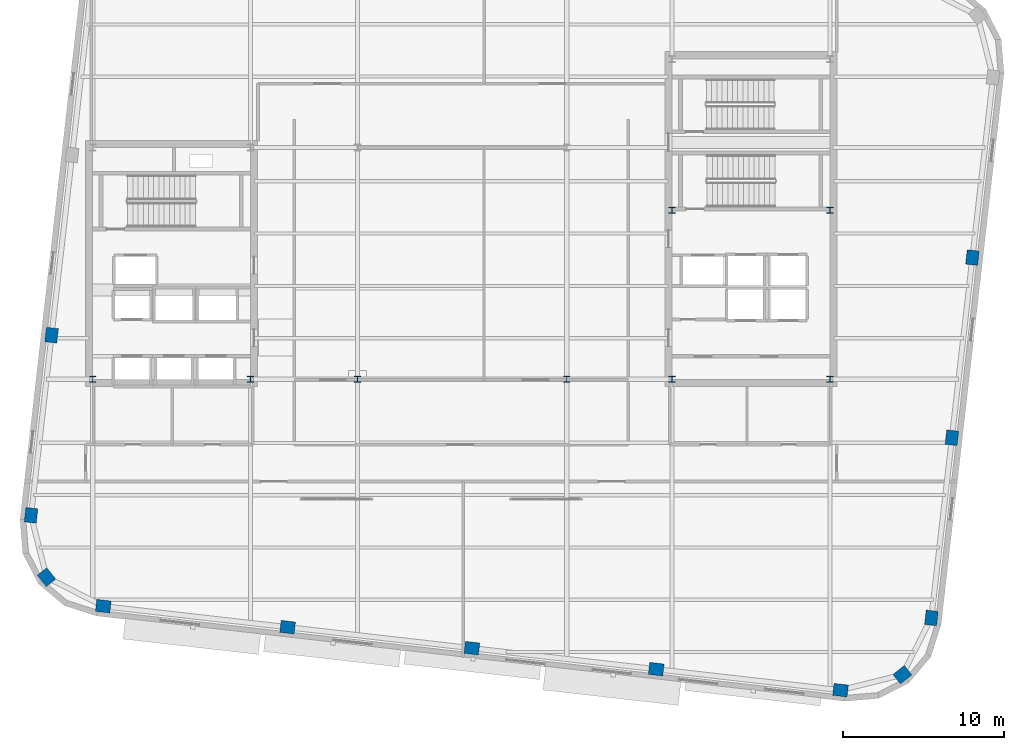
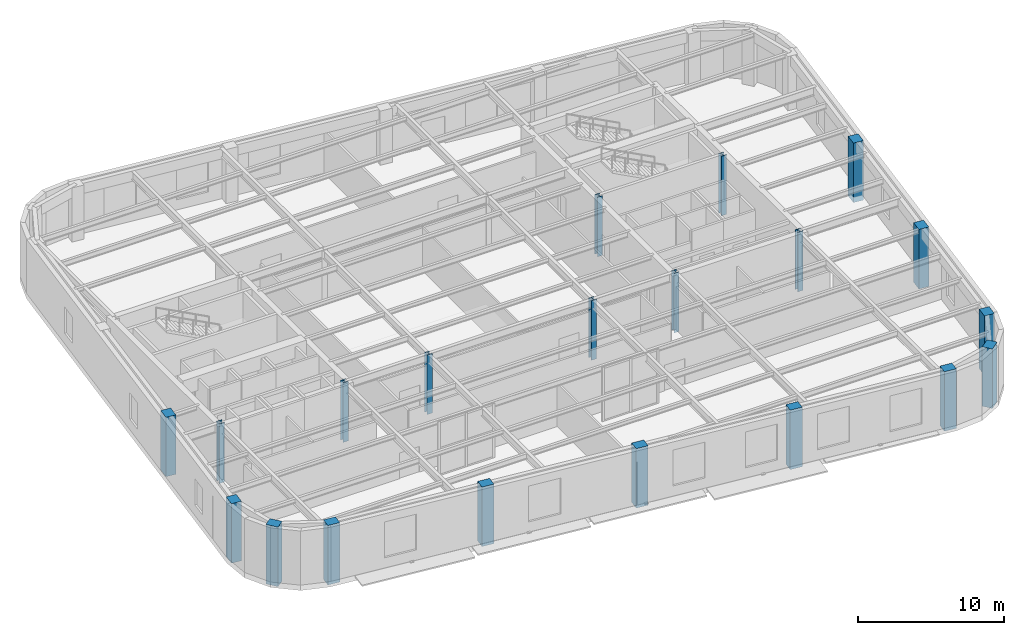
# One storey, part 1 of 15: 20 columns.
"""IFC4 building model written with IfcOpenShell, lengths in metres."""

from ifc_helpers import new_model, si_unit, direction, frame, origin, origin_2d, place, context, subcontext, project, spatial, rectangle, i_section, extrude, material, material_profile, profile_set, type_object, element, save


model = new_model("IFC4")

# Units and contexts
model_context = context("Model", 3, precision=1e-05, world=origin(), true_north=direction((0.0, 1.0)))
body_context = subcontext(model_context, "Body", "Model", "MODEL_VIEW")
ifc_project = project(units=[si_unit("LENGTHUNIT", "METRE"), si_unit("AREAUNIT", "SQUARE_METRE"), si_unit("VOLUMEUNIT", "CUBIC_METRE"), si_unit("PLANEANGLEUNIT", "RADIAN"), si_unit("MASSUNIT", "GRAM", prefix="KILO")], contexts=[model_context])

# Site, building, storey
site_placement = place(None, origin())
site = spatial("IfcSite", under=ifc_project, at=site_placement, CompositionType="ELEMENT")
building_placement = place(site_placement, origin())
building = spatial("IfcBuilding", under=site, at=building_placement, Name="Kolvaren Arena Tower", CompositionType="ELEMENT")
storey_placement = place(building_placement, frame((0.0, 0.0, 216.14990234375)))
storey = spatial("IfcBuildingStorey", under=building, at=storey_placement, Name="L52", CompositionType="ELEMENT", Elevation=216.14990234375)

# Columns
ifc_material_1 = material(Name="Precast concrete C55/67", Category="concrete")
ifc_material_profile_1 = material_profile(ifc_material_1, rectangle(XDim=0.89990234375, YDim=0.75, at=origin_2d()), Name="RC-900x750")
ifc_profile_set_1 = profile_set([ifc_material_profile_1], Name="Precast concrete C55/67")
column_type_1 = type_object("IfcColumnType", Name="EXCOL-Z4", PredefinedType="COLUMN", material=ifc_profile_set_1)
for number, where, z_axis, x_axis, name in (
    (1, (15.207763671875, 5.350830078125, -0.449951171875), (0.0, 0.0, 1.0), (0.993571855677, -0.113203213768, 0.0), "Exoskeleton Perimeter Column 01 (L52)"),
    (2, (26.65869140625, 4.046142578125, -0.449951171875), (0.0, 0.0, 1.0), (0.993571855677, -0.113203213768, 0.0), "Exoskeleton Perimeter Column 02 (L52)"),
    (3, (38.109619140625, 2.741455078125, -0.449951171875), (0.0, 0.0, 1.0), (0.993571855677, -0.113203213768, 0.0), "Exoskeleton Perimeter Column 03 (L52)"),
    (4, (49.560302734375, 1.436767578125, -0.449951171875), (0.0, 0.0, 1.0), (0.993571855677, -0.113203213768, 0.0), "Exoskeleton Perimeter Column 04 (L52)"),
    (5, (61.011474609375, 0.132080078125, -0.449951171875), (0.0, 0.0, 1.0), (0.993571855677, -0.113203213768, 0.0), "Exoskeleton Perimeter Column 05 (L52)"),
    (6, (64.853759765625, 1.094482421875, -0.449951171875), (0.0, 0.0, 1.0), (0.782608156852, 0.622514636638, 0.0), "Exoskeleton Perimeter Column 06 (L52)"),
    (7, (66.656005859375, 4.6220703125, -0.449951171875), (0.0, 0.0, 1.0), (0.113203213768, 0.993571855677, 0.0), "Exoskeleton Perimeter Column 07 (L52)"),
    (8, (67.931396484375, 15.816162109375, -0.449951171875), (0.0, 0.0, 1.0), (0.113203213768, 0.993571855677, 0.0), "Exoskeleton Perimeter Column 08 (L52)"),
    (9, (69.206787109375, 27.010498046875, -0.449951171875), (0.0, 0.0, 1.0), (0.113203213768, 0.993571855677, 0.0), "Exoskeleton Perimeter Column 09 (L52)"),
    (10, (11.9931640625, 22.189453125, -0.449951171875), (0.0, 0.0, 1.0), (0.113203213768, 0.993571855677, 0.0), "Exoskeleton Perimeter Column 20 (L52)"),
    (11, (10.7177734375, 10.995361328125, -0.449951171875), (0.0, 0.0, 1.0), (0.113203213768, 0.993571855677, 0.0), "Exoskeleton Perimeter Column 21 (L52)"),
    (12, (11.680419921875, 7.15283203125, -0.449951171875), (0.0, 0.0, 1.0), (-0.622514636638, 0.782608156852, 0.0), "Exoskeleton Perimeter Column 22 (L52)"),
):
    element("IfcColumn", number, at=place(storey_placement, frame(where, z_axis=z_axis, x_axis=x_axis)), inside=storey, type_object=column_type_1, Name=name, PredefinedType="COLUMN", context=body_context, shape_type="SweptSolid", body=[
        extrude(rectangle(XDim=0.89990234375, YDim=0.75, at=origin_2d()), origin(), (0.0, 0.0, 1.0), 4.97998046875),
    ])
ifc_material_2 = material(Name="Steel ASTM A913 Grade 65", Category="steel")
ifc_material_profile_2 = material_profile(ifc_material_2, i_section(OverallWidth=0.39892578125, OverallDepth=0.39306640625, WebThickness=0.022705078125, FlangeThickness=0.03662109375, FilletRadius=0.02001953125, at=origin_2d()), Name="W360x287")
ifc_profile_set_2 = profile_set([ifc_material_profile_2], Name="Steel ASTM A913 Grade 65")
column_type_2 = type_object("IfcColumnType", Name="SCOL-Z4", PredefinedType="COLUMN", material=ifc_profile_set_2)
for number, where, z_axis, x_axis, name in (
    (13, (14.550048828125, 19.449951171875, -0.449951171875), (0.0, 0.0, 1.0), (1.0, 0.0, 0.0), "Core Boundary Column WC-SW (L52)"),
    (14, (24.35009765625, 19.449951171875, -0.449951171875), (0.0, 0.0, 1.0), (1.0, 0.0, 0.0), "Core Boundary Column WC-SE (L52)"),
    (15, (50.550048828125, 19.449951171875, -0.449951171875), (0.0, 0.0, 1.0), (1.0, 0.0, 0.0), "Core Boundary Column EC-SW (L52)"),
    (16, (60.35009765625, 19.449951171875, -0.449951171875), (0.0, 0.0, 1.0), (1.0, 0.0, 0.0), "Core Boundary Column EC-SE (L52)"),
    (17, (50.550048828125, 29.949951171875, -0.449951171875), (0.0, 0.0, 1.0), (1.0, 0.0, 0.0), "Core Boundary Column EC-MW (L52)"),
    (18, (60.35009765625, 29.949951171875, -0.449951171875), (0.0, 0.0, 1.0), (1.0, 0.0, 0.0), "Core Boundary Column EC-ME (L52)"),
    (19, (31.0, 19.449951171875, -0.449951171875), (0.0, 0.0, 1.0), (1.0, 0.0, 0.0), "Interior Gravity Column TC-SW (L52)"),
    (20, (44.0, 19.449951171875, -0.449951171875), (0.0, 0.0, 1.0), (1.0, 0.0, 0.0), "Interior Gravity Column TC-SE (L52)"),
):
    element("IfcColumn", number, at=place(storey_placement, frame(where, z_axis=z_axis, x_axis=x_axis)), inside=storey, type_object=column_type_2, Name=name, PredefinedType="COLUMN", context=body_context, shape_type="SweptSolid", body=[
        extrude(i_section(OverallWidth=0.39892578125, OverallDepth=0.39306640625, WebThickness=0.022705078125, FlangeThickness=0.03662109375, FilletRadius=0.02001953125, at=origin_2d()), origin(), (0.0, 0.0, 1.0), 4.97998046875),
    ])

save(model, "model.ifc")
